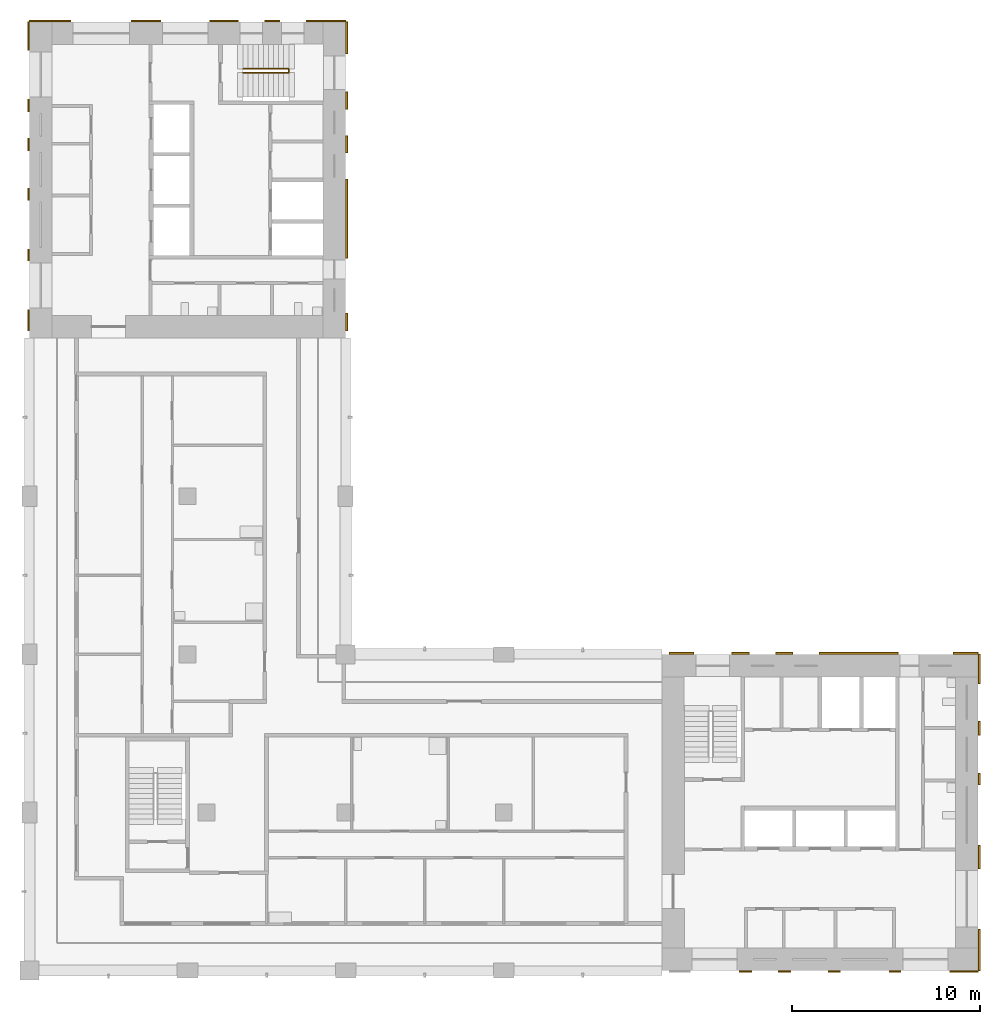
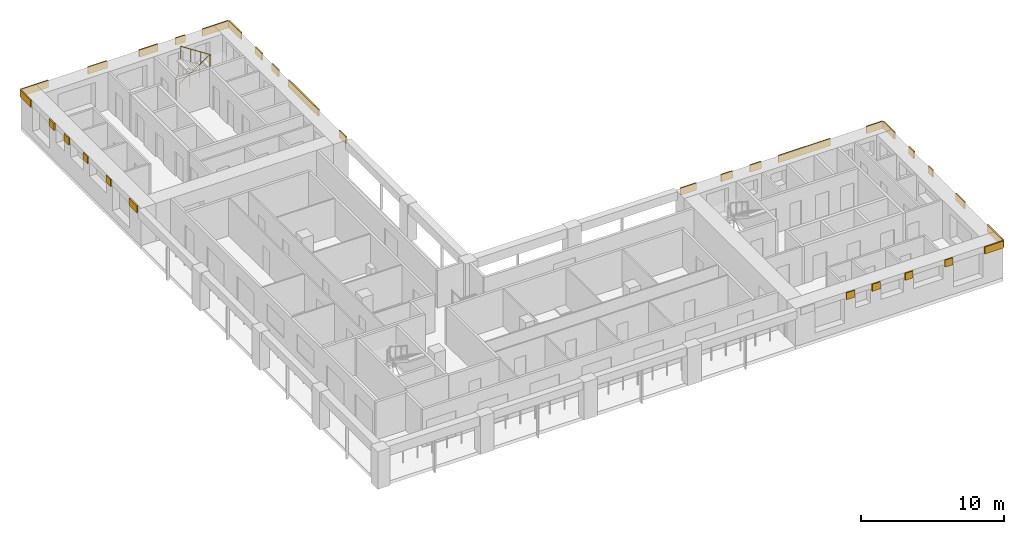
# One storey, part 8 of 9: 31 shading devices, 1 railing.
"""IFC4 building model written with IfcOpenShell, lengths in metres."""

import ifcopenshell
import ifcopenshell.guid

model = None  # the IFC model being written
_history = None  # IfcOwnerHistory: only IFC2X3 demands one
_inside = {}  # id of a spatial element -> (the spatial element, [elements in it])
_under = {}  # id of a project, library or spatial element -> (it, [spatial elements below it])
_declared = {}  # id of a project -> (the project, [libraries it declares])
_typed = {}  # id of a type object -> (the type object, [elements of that type])
_made_of = {}  # id of a material, layer set ... -> (it, [elements and type objects made of it])


def new_model(schema):
    """Start an empty IFC model of exactly this schema.

    Asked for "IFC4X3", IfcOpenShell would pick the latest addendum, in which some entities
    have other attributes; the version numbers below select the first issue.
    IFC2X3 requires an IfcOwnerHistory on every rooted entity: one is made here for all.
    """
    global model, _history
    if schema == "IFC4X3":
        model = ifcopenshell.file(schema_version=(4, 3, 0, 0))
    else:
        model = ifcopenshell.file(schema=schema)
    _inside.clear()
    _under.clear()
    _declared.clear()
    _typed.clear()
    _made_of.clear()
    _history = None
    if model.schema == "IFC2X3":
        org = make("IfcOrganization", Name="unknown")
        user = make(
            "IfcPersonAndOrganization",
            ThePerson=make("IfcPerson", FamilyName="unknown"),
            TheOrganization=org,
        )
        app = make(
            "IfcApplication",
            ApplicationDeveloper=org,
            Version="unknown",
            ApplicationFullName="unknown",
            ApplicationIdentifier="unknown",
        )
        _history = make(
            "IfcOwnerHistory",
            OwningUser=user,
            OwningApplication=app,
            ChangeAction="ADDED",
            CreationDate=0,
        )
    return model


def make(cls, **values):
    """One entity of the class cls with the attributes given. An attribute that is None is left unset."""
    return model.create_entity(
        cls, **{name: value for name, value in values.items() if value is not None}
    )


def rooted(cls, **values):
    """An entity with a GlobalId (a new one), such as an element, a storey or a relation."""
    return make(cls, GlobalId=ifcopenshell.guid.new(), OwnerHistory=_history, **values)


def si_unit(unit_type, name, prefix=None):
    """IfcSIUnit, for example si_unit("LENGTHUNIT", "METRE", prefix="MILLI")."""
    return make("IfcSIUnit", UnitType=unit_type, Prefix=prefix, Name=name)


def assignment(units):
    """IfcUnitAssignment: the units of a project."""
    return None if units is None else make("IfcUnitAssignment", Units=units)


def point(xyz):
    """IfcCartesianPoint."""
    return None if xyz is None else make("IfcCartesianPoint", Coordinates=xyz)


def direction(xyz):
    """IfcDirection."""
    return None if xyz is None else make("IfcDirection", DirectionRatios=xyz)


def frame(location, z_axis=None, x_axis=None):
    """IfcAxis2Placement3D, a coordinate frame: its origin and axes. An axis left out is left unset."""
    return make(
        "IfcAxis2Placement3D",
        Location=point(location),
        Axis=direction(z_axis),
        RefDirection=direction(x_axis),
    )


def frame_2d(location, x_axis=None):
    """IfcAxis2Placement2D, a coordinate frame in the plane: its origin and x axis."""
    return make(
        "IfcAxis2Placement2D", Location=point(location), RefDirection=direction(x_axis)
    )


def origin():
    """The frame at (0, 0, 0) with its axes left unset."""
    return frame((0.0, 0.0, 0.0))


def origin_2d():
    """The frame at (0, 0) in the plane with its x axis left unset."""
    return frame_2d((0.0, 0.0))


def place(relative_to, where):
    """IfcLocalPlacement: puts the frame where relative to a parent placement (None: the world)."""
    return make(
        "IfcLocalPlacement", PlacementRelTo=relative_to, RelativePlacement=where
    )


def context(
    kind, dimensions, precision=None, world=None, true_north=None, identifier=None
):
    """IfcGeometricRepresentationContext, for example the 3D "Model" context."""
    return make(
        "IfcGeometricRepresentationContext",
        ContextIdentifier=identifier,
        ContextType=kind,
        CoordinateSpaceDimension=dimensions,
        Precision=precision,
        WorldCoordinateSystem=world,
        TrueNorth=true_north,
    )


def subcontext(parent, identifier, kind, view, scale=None):
    """IfcGeometricRepresentationSubContext, for example "Body" below "Model"."""
    return make(
        "IfcGeometricRepresentationSubContext",
        ContextIdentifier=identifier,
        ContextType=kind,
        ParentContext=parent,
        TargetScale=scale,
        TargetView=view,
    )


def project(units=None, contexts=None):
    """IfcProject with its units and contexts."""
    return rooted(
        "IfcProject",
        Name="project",
        RepresentationContexts=contexts,
        UnitsInContext=assignment(units),
    )


def spatial(cls, under=None, at=None, **own):
    """A site, building, storey or space (cls), placed at a placement, below another one or the project."""
    s = rooted(cls, ObjectPlacement=at, **own)
    if under is not None:
        _under.setdefault(under.id(), (under, []))[1].append(s)
    return s


def profile(cls, at=None, kind="AREA", **sizes):
    """A parametric profile (cls). Its sizes go by their IFC names, for example OverallWidth=200.0."""
    return make(cls, ProfileType=kind, Position=at, **sizes)


def rectangle(**sizes):
    """IfcRectangleProfileDef."""
    return profile("IfcRectangleProfileDef", **sizes)


def circle(**sizes):
    """IfcCircleProfileDef."""
    return profile("IfcCircleProfileDef", **sizes)


def extrude(swept, where, along, depth):
    """IfcExtrudedAreaSolid: the profile swept, set in the frame where, extruded along a direction by depth."""
    return make(
        "IfcExtrudedAreaSolid",
        SweptArea=swept,
        Position=where,
        ExtrudedDirection=direction(along),
        Depth=depth,
    )


def shape(context_of_items, identifier, shape_type, items):
    """IfcShapeRepresentation: the items that make up one representation, for example the "Body"."""
    return make(
        "IfcShapeRepresentation",
        ContextOfItems=context_of_items,
        RepresentationIdentifier=identifier,
        RepresentationType=shape_type,
        Items=items,
    )


def material(Name=None, Category=None):
    """IfcMaterial."""
    return make("IfcMaterial", Name=Name, Category=Category)


def layer(
    of_material, thickness, ventilated=None, Name=None, Category=None, Priority=None
):
    """IfcMaterialLayer: one layer of a wall or slab, of a material (None: an air gap)."""
    return make(
        "IfcMaterialLayer",
        Material=of_material,
        LayerThickness=thickness,
        IsVentilated=ventilated,
        Name=Name,
        Category=Category,
        Priority=Priority,
    )


def layer_set(layers, Name=None):
    """IfcMaterialLayerSet."""
    return make("IfcMaterialLayerSet", MaterialLayers=layers, LayerSetName=Name)


def made_of(thing, what):
    """Note that an element or type object is made of a material, layer set ...; save() writes the relation."""
    if what is not None:
        _made_of.setdefault(what.id(), (what, []))[1].append(thing)
    return thing


def type_object(cls, material=None, **own):
    """A type object (cls), such as IfcWallType, which elements share."""
    return made_of(rooted(cls, **own), material)


def element(
    cls,
    number,
    at=None,
    inside=None,
    cuts=None,
    type_object=None,
    material=None,
    context=None,
    identifier="Body",
    shape_type=None,
    held_by="IfcProductDefinitionShape",
    body=None,
    shapes=None,
    **own,
):
    """One element of the class cls, such as IfcWall. Its Tag is "e" and its number.

    at: its placement. inside: the storey or other place that contains it. cuts: it is an
    opening in that element (IfcRelVoidsElement). A single representation is given by context,
    identifier, shape_type and body (its items); several are given by shapes. held_by: the class
    of the entity that holds the representations. save() writes the other relations.
    """
    e = rooted(cls, Tag="e%d" % number, ObjectPlacement=at, **own)
    if body is not None:
        shapes = [shape(context, identifier, shape_type, body)]
    if shapes is not None:
        e.Representation = make(held_by, Representations=shapes)
    if inside is not None:
        _inside.setdefault(inside.id(), (inside, []))[1].append(e)
    if cuts is not None:
        rooted(
            "IfcRelVoidsElement", RelatingBuildingElement=cuts, RelatedOpeningElement=e
        )
    if type_object is not None:
        _typed.setdefault(type_object.id(), (type_object, []))[1].append(e)
    return made_of(e, material)


def aggregate(whole, parts):
    """IfcRelAggregates: a whole, such as a stair, and the parts it consists of."""
    return rooted("IfcRelAggregates", RelatingObject=whole, RelatedObjects=parts)


def save(model, path):
    """Write the relations noted so far, then the file.

    IfcRelAggregates (storeys below a building ...), IfcRelContainedInSpatialStructure (elements
    in a storey), IfcRelDefinesByType, IfcRelAssociatesMaterial and IfcRelDeclares: one each for
    every whole, place, type object, material and project.
    """
    for whole, parts in _under.values():
        aggregate(whole, parts)
    for where, things in _inside.values():
        rooted(
            "IfcRelContainedInSpatialStructure",
            RelatedElements=things,
            RelatingStructure=where,
        )
    for kind, things in _typed.values():
        rooted("IfcRelDefinesByType", RelatedObjects=things, RelatingType=kind)
    for what, things in _made_of.values():
        rooted("IfcRelAssociatesMaterial", RelatedObjects=things, RelatingMaterial=what)
    for by, libraries in _declared.values():
        rooted("IfcRelDeclares", RelatingContext=by, RelatedDefinitions=libraries)
    model.write(path)


model = new_model("IFC4")

# Units and contexts
model_context = context("Model", 3, precision=1e-05, world=origin(), true_north=direction((0.0, 1.0)))
body_context = subcontext(model_context, "Body", "Model", "MODEL_VIEW")
ifc_project = project(units=[si_unit("LENGTHUNIT", "METRE"), si_unit("AREAUNIT", "SQUARE_METRE"), si_unit("VOLUMEUNIT", "CUBIC_METRE"), si_unit("PLANEANGLEUNIT", "RADIAN"), si_unit("MASSUNIT", "GRAM", prefix="KILO")], contexts=[model_context])

# Site, building, storey
site_placement = place(None, origin())
site = spatial("IfcSite", under=ifc_project, at=site_placement, CompositionType="ELEMENT")
building_placement = place(site_placement, origin())
building = spatial("IfcBuilding", under=site, at=building_placement, Name="Vermilion Gate Residences", CompositionType="ELEMENT")
storey_placement = place(building_placement, frame((0.0, 0.0, 224.699951171875)))
storey = spatial("IfcBuildingStorey", under=building, at=storey_placement, Name="L58", CompositionType="ELEMENT", Elevation=224.699951171875)

# Railing
ifc_material_1 = material(Name="Steel S355", Category="steel")
railing_type = type_object("IfcRailingType", Name="STAIR GUARD 1100 STEEL", PredefinedType="GUARDRAIL", material=ifc_material_1)
railing_placement = place(storey_placement, frame((19.75, 56.300048828125, 0.175048828125)))
element("IfcRailing", 1, at=railing_placement, inside=storey, type_object=railing_type, Name="Stair well guard STB1-58", PredefinedType="GUARDRAIL", context=body_context, shape_type="SweptSolid", body=[
    extrude(circle(Radius=0.02392578125, at=origin_2d()), frame((0.0, 0.0, 1.076171875), z_axis=(0.839153699163, 0.0, 0.543894354798), x_axis=(0.0, 1.0, 0.0)), (0.0, 0.0, 1.0), 2.895751953125),
    extrude(circle(Radius=0.02392578125, at=origin_2d()), frame((2.429931640625, 0.0, 2.65087890625), z_axis=(0.0, -0.752405939678, 0.658699705433), x_axis=(1.0, 0.0, 0.0)), (0.0, 0.0, 1.0), 0.265869140625),
    extrude(circle(Radius=0.02392578125, at=origin_2d()), frame((2.429931640625, -0.199951171875, 2.826171875), z_axis=(-0.839153699163, 0.0, 0.543894354798), x_axis=(0.0, -1.0, 0.0)), (0.0, 0.0, 1.0), 2.895751953125),
    extrude(circle(Radius=0.02099609375, at=origin_2d()), origin(), (0.0, 0.0, 1.0), 1.052001953125),
    extrude(circle(Radius=0.02099609375, at=origin_2d()), frame((0.81005859375, 0.0, 0.52490234375)), (0.0, 0.0, 1.0), 1.052001953125),
    extrude(circle(Radius=0.02099609375, at=origin_2d()), frame((1.619873046875, 0.0, 1.050048828125)), (0.0, 0.0, 1.0), 1.052001953125),
    extrude(circle(Radius=0.02099609375, at=origin_2d()), frame((2.429931640625, 0.0, 1.574951171875)), (0.0, 0.0, 1.0), 1.052001953125),
    extrude(circle(Radius=0.02099609375, at=origin_2d()), frame((2.429931640625, -0.199951171875, 1.75)), (0.0, 0.0, 1.0), 1.052001953125),
    extrude(circle(Radius=0.02099609375, at=origin_2d()), frame((1.619873046875, -0.199951171875, 2.27490234375)), (0.0, 0.0, 1.0), 1.052001953125),
    extrude(circle(Radius=0.02099609375, at=origin_2d()), frame((0.81005859375, -0.199951171875, 2.800048828125)), (0.0, 0.0, 1.0), 1.052001953125),
    extrude(circle(Radius=0.02099609375, at=origin_2d()), frame((0.0, -0.199951171875, 3.324951171875)), (0.0, 0.0, 1.0), 1.052001953125),
])

# Shading devices
ifc_material_2 = material(Name="Extruded terracotta", Category="masonry")
ifc_layer = layer(ifc_material_2, 0.10009765625)
ifc_layer_set = layer_set([ifc_layer], Name="TERRACOTTA SPANDREL BAND 600 X 100")
shading_device_type = type_object("IfcShadingDeviceType", Name="TERRACOTTA SPANDREL BAND 600 X 100", PredefinedType="USERDEFINED", material=ifc_layer_set)
shading_device_1_placement = place(storey_placement, frame((46.4375, 8.35009765625, 2.6201171875), z_axis=(0.0, 0.0, 1.0), x_axis=(1.0, 0.0, 0.0)))
element("IfcShadingDevice", 2, at=shading_device_1_placement, inside=storey, type_object=shading_device_type, Name="SPANDREL BAND", ObjectType="BAND", PredefinedType="USERDEFINED", context=body_context, shape_type="SweptSolid", body=[
    extrude(rectangle(XDim=0.675048828125, YDim=0.10009765625, at=origin_2d()), origin(), (0.0, 0.0, 1.0), 0.60009765625),
])
shading_device_2_placement = place(storey_placement, frame((48.510009765625, 8.35009765625, 2.6201171875), z_axis=(0.0, 0.0, 1.0), x_axis=(1.0, 0.0, 0.0)))
element("IfcShadingDevice", 3, at=shading_device_2_placement, inside=storey, type_object=shading_device_type, Name="SPANDREL BAND", ObjectType="BAND", PredefinedType="USERDEFINED", context=body_context, shape_type="SweptSolid", body=[
    extrude(rectangle(XDim=0.669921875, YDim=0.10009765625, at=origin_2d()), origin(), (0.0, 0.0, 1.0), 0.60009765625),
])
shading_device_3_placement = place(storey_placement, frame((51.157470703125, 8.35009765625, 2.6201171875), z_axis=(0.0, 0.0, 1.0), x_axis=(1.0, 0.0, 0.0)))
element("IfcShadingDevice", 4, at=shading_device_3_placement, inside=storey, type_object=shading_device_type, Name="SPANDREL BAND", ObjectType="BAND", PredefinedType="USERDEFINED", context=body_context, shape_type="SweptSolid", body=[
    extrude(rectangle(XDim=0.625, YDim=0.10009765625, at=origin_2d()), origin(), (0.0, 0.0, 1.0), 0.60009765625),
])
shading_device_4_placement = place(storey_placement, frame((54.385009765625, 8.35009765625, 2.6201171875), z_axis=(0.0, 0.0, 1.0), x_axis=(1.0, 0.0, 0.0)))
element("IfcShadingDevice", 5, at=shading_device_4_placement, inside=storey, type_object=shading_device_type, Name="SPANDREL BAND", ObjectType="BAND", PredefinedType="USERDEFINED", context=body_context, shape_type="SweptSolid", body=[
    extrude(rectangle(XDim=0.6298828125, YDim=0.10009765625, at=origin_2d()), origin(), (0.0, 0.0, 1.0), 0.60009765625),
])
shading_device_5_placement = place(storey_placement, frame((58.050048828125, 8.35009765625, 2.6201171875), z_axis=(0.0, 0.0, 1.0), x_axis=(1.0, 0.0, 0.0)))
element("IfcShadingDevice", 6, at=shading_device_5_placement, inside=storey, type_object=shading_device_type, Name="SPANDREL BAND", ObjectType="BAND", PredefinedType="USERDEFINED", context=body_context, shape_type="SweptSolid", body=[
    extrude(rectangle(XDim=1.5, YDim=0.10009765625, at=origin_2d()), origin(), (0.0, 0.0, 1.0), 0.60009765625),
])
shading_device_6_placement = place(storey_placement, frame((43.050048828125, 25.25, 2.6201171875), z_axis=(0.0, 0.0, 1.0), x_axis=(1.0, 0.0, 0.0)))
element("IfcShadingDevice", 7, at=shading_device_6_placement, inside=storey, type_object=shading_device_type, Name="SPANDREL BAND", ObjectType="BAND", PredefinedType="USERDEFINED", context=body_context, shape_type="SweptSolid", body=[
    extrude(rectangle(XDim=1.300048828125, YDim=0.10009765625, at=origin_2d()), origin(), (0.0, 0.0, 1.0), 0.60009765625),
])
shading_device_7_placement = place(storey_placement, frame((46.168701171875, 25.25, 2.6201171875), z_axis=(0.0, 0.0, 1.0), x_axis=(1.0, 0.0, 0.0)))
element("IfcShadingDevice", 8, at=shading_device_7_placement, inside=storey, type_object=shading_device_type, Name="SPANDREL BAND", ObjectType="BAND", PredefinedType="USERDEFINED", context=body_context, shape_type="SweptSolid", body=[
    extrude(rectangle(XDim=0.9375, YDim=0.10009765625, at=origin_2d()), origin(), (0.0, 0.0, 1.0), 0.60009765625),
])
shading_device_8_placement = place(storey_placement, frame((48.49365234375, 25.25, 2.6201171875), z_axis=(0.0, 0.0, 1.0), x_axis=(1.0, 0.0, 0.0)))
element("IfcShadingDevice", 9, at=shading_device_8_placement, inside=storey, type_object=shading_device_type, Name="SPANDREL BAND", ObjectType="BAND", PredefinedType="USERDEFINED", context=body_context, shape_type="SweptSolid", body=[
    extrude(rectangle(XDim=0.91259765625, YDim=0.10009765625, at=origin_2d()), origin(), (0.0, 0.0, 1.0), 0.60009765625),
])
shading_device_9_placement = place(storey_placement, frame((52.449951171875, 25.25, 2.6201171875), z_axis=(0.0, 0.0, 1.0), x_axis=(1.0, 0.0, 0.0)))
element("IfcShadingDevice", 10, at=shading_device_9_placement, inside=storey, type_object=shading_device_type, Name="SPANDREL BAND", ObjectType="BAND", PredefinedType="USERDEFINED", context=body_context, shape_type="SweptSolid", body=[
    extrude(rectangle(XDim=4.199951171875, YDim=0.10009765625, at=origin_2d()), origin(), (0.0, 0.0, 1.0), 0.60009765625),
])
shading_device_10_placement = place(storey_placement, frame((58.137451171875, 25.25, 2.6201171875), z_axis=(0.0, 0.0, 1.0), x_axis=(1.0, 0.0, 0.0)))
element("IfcShadingDevice", 11, at=shading_device_10_placement, inside=storey, type_object=shading_device_type, Name="SPANDREL BAND", ObjectType="BAND", PredefinedType="USERDEFINED", context=body_context, shape_type="SweptSolid", body=[
    extrude(rectangle(XDim=1.324951171875, YDim=0.10009765625, at=origin_2d()), origin(), (0.0, 0.0, 1.0), 0.60009765625),
])
shading_device_11_placement = place(storey_placement, frame((58.85009765625, 9.50244140625, 2.6201171875), z_axis=(0.0, 0.0, 1.0), x_axis=(0.0, 1.0, 0.0)))
element("IfcShadingDevice", 12, at=shading_device_11_placement, inside=storey, type_object=shading_device_type, Name="SPANDREL BAND", ObjectType="BAND", PredefinedType="USERDEFINED", context=body_context, shape_type="SweptSolid", body=[
    extrude(rectangle(XDim=2.205078125, YDim=0.10009765625, at=origin_2d()), origin(), (0.0, 0.0, 1.0), 0.60009765625),
])
shading_device_12_placement = place(storey_placement, frame((58.85009765625, 14.4326171875, 2.6201171875), z_axis=(0.0, 0.0, 1.0), x_axis=(0.0, 1.0, 0.0)))
element("IfcShadingDevice", 13, at=shading_device_12_placement, inside=storey, type_object=shading_device_type, Name="SPANDREL BAND", ObjectType="BAND", PredefinedType="USERDEFINED", context=body_context, shape_type="SweptSolid", body=[
    extrude(rectangle(XDim=1.2548828125, YDim=0.10009765625, at=origin_2d()), origin(), (0.0, 0.0, 1.0), 0.60009765625),
])
shading_device_13_placement = place(storey_placement, frame((58.85009765625, 18.574951171875, 2.6201171875), z_axis=(0.0, 0.0, 1.0), x_axis=(0.0, 1.0, 0.0)))
element("IfcShadingDevice", 14, at=shading_device_13_placement, inside=storey, type_object=shading_device_type, Name="SPANDREL BAND", ObjectType="BAND", PredefinedType="USERDEFINED", context=body_context, shape_type="SweptSolid", body=[
    extrude(rectangle(XDim=0.6298828125, YDim=0.10009765625, at=origin_2d()), origin(), (0.0, 0.0, 1.0), 0.60009765625),
])
shading_device_14_placement = place(storey_placement, frame((58.85009765625, 21.27001953125, 2.6201171875), z_axis=(0.0, 0.0, 1.0), x_axis=(0.0, 1.0, 0.0)))
element("IfcShadingDevice", 15, at=shading_device_14_placement, inside=storey, type_object=shading_device_type, Name="SPANDREL BAND", ObjectType="BAND", PredefinedType="USERDEFINED", context=body_context, shape_type="SweptSolid", body=[
    extrude(rectangle(XDim=0.760009765625, YDim=0.10009765625, at=origin_2d()), origin(), (0.0, 0.0, 1.0), 0.60009765625),
])
shading_device_15_placement = place(storey_placement, frame((58.85009765625, 24.425048828125, 2.6201171875), z_axis=(0.0, 0.0, 1.0), x_axis=(0.0, 1.0, 0.0)))
element("IfcShadingDevice", 16, at=shading_device_15_placement, inside=storey, type_object=shading_device_type, Name="SPANDREL BAND", ObjectType="BAND", PredefinedType="USERDEFINED", context=body_context, shape_type="SweptSolid", body=[
    extrude(rectangle(XDim=1.550048828125, YDim=0.10009765625, at=origin_2d()), origin(), (0.0, 0.0, 1.0), 0.60009765625),
])
shading_device_16_placement = place(storey_placement, frame((9.50244140625, 58.85009765625, 2.6201171875), z_axis=(0.0, 0.0, 1.0), x_axis=(1.0, 0.0, 0.0)))
element("IfcShadingDevice", 17, at=shading_device_16_placement, inside=storey, type_object=shading_device_type, Name="SPANDREL BAND", ObjectType="BAND", PredefinedType="USERDEFINED", context=body_context, shape_type="SweptSolid", body=[
    extrude(rectangle(XDim=2.205078125, YDim=0.10009765625, at=origin_2d()), origin(), (0.0, 0.0, 1.0), 0.60009765625),
])
shading_device_17_placement = place(storey_placement, frame((14.590087890625, 58.85009765625, 2.6201171875), z_axis=(0.0, 0.0, 1.0), x_axis=(1.0, 0.0, 0.0)))
element("IfcShadingDevice", 18, at=shading_device_17_placement, inside=storey, type_object=shading_device_type, Name="SPANDREL BAND", ObjectType="BAND", PredefinedType="USERDEFINED", context=body_context, shape_type="SweptSolid", body=[
    extrude(rectangle(XDim=1.570068359375, YDim=0.10009765625, at=origin_2d()), origin(), (0.0, 0.0, 1.0), 0.60009765625),
])
shading_device_18_placement = place(storey_placement, frame((18.734130859375, 58.85009765625, 2.6201171875), z_axis=(0.0, 0.0, 1.0), x_axis=(1.0, 0.0, 0.0)))
element("IfcShadingDevice", 19, at=shading_device_18_placement, inside=storey, type_object=shading_device_type, Name="SPANDREL BAND", ObjectType="BAND", PredefinedType="USERDEFINED", context=body_context, shape_type="SweptSolid", body=[
    extrude(rectangle(XDim=1.518310546875, YDim=0.10009765625, at=origin_2d()), origin(), (0.0, 0.0, 1.0), 0.60009765625),
])
shading_device_19_placement = place(storey_placement, frame((21.294921875, 58.85009765625, 2.6201171875), z_axis=(0.0, 0.0, 1.0), x_axis=(1.0, 0.0, 0.0)))
element("IfcShadingDevice", 20, at=shading_device_19_placement, inside=storey, type_object=shading_device_type, Name="SPANDREL BAND", ObjectType="BAND", PredefinedType="USERDEFINED", context=body_context, shape_type="SweptSolid", body=[
    extrude(rectangle(XDim=0.803466796875, YDim=0.10009765625, at=origin_2d()), origin(), (0.0, 0.0, 1.0), 0.60009765625),
])
shading_device_20_placement = place(storey_placement, frame((24.1484375, 58.85009765625, 2.6201171875), z_axis=(0.0, 0.0, 1.0), x_axis=(1.0, 0.0, 0.0)))
element("IfcShadingDevice", 21, at=shading_device_20_placement, inside=storey, type_object=shading_device_type, Name="SPANDREL BAND", ObjectType="BAND", PredefinedType="USERDEFINED", context=body_context, shape_type="SweptSolid", body=[
    extrude(rectangle(XDim=2.103271484375, YDim=0.10009765625, at=origin_2d()), origin(), (0.0, 0.0, 1.0), 0.60009765625),
])
shading_device_21_placement = place(storey_placement, frame((8.35009765625, 42.949951171875, 2.6201171875), z_axis=(0.0, 0.0, 1.0), x_axis=(0.0, 1.0, 0.0)))
element("IfcShadingDevice", 22, at=shading_device_21_placement, inside=storey, type_object=shading_device_type, Name="SPANDREL BAND", ObjectType="BAND", PredefinedType="USERDEFINED", context=body_context, shape_type="SweptSolid", body=[
    extrude(rectangle(XDim=1.10009765625, YDim=0.10009765625, at=origin_2d()), origin(), (0.0, 0.0, 1.0), 0.60009765625),
])
shading_device_22_placement = place(storey_placement, frame((8.35009765625, 46.4150390625, 2.6201171875), z_axis=(0.0, 0.0, 1.0), x_axis=(0.0, 1.0, 0.0)))
element("IfcShadingDevice", 23, at=shading_device_22_placement, inside=storey, type_object=shading_device_type, Name="SPANDREL BAND", ObjectType="BAND", PredefinedType="USERDEFINED", context=body_context, shape_type="SweptSolid", body=[
    extrude(rectangle(XDim=0.6298828125, YDim=0.10009765625, at=origin_2d()), origin(), (0.0, 0.0, 1.0), 0.60009765625),
])
shading_device_23_placement = place(storey_placement, frame((8.35009765625, 49.642578125, 2.6201171875), z_axis=(0.0, 0.0, 1.0), x_axis=(0.0, 1.0, 0.0)))
element("IfcShadingDevice", 24, at=shading_device_23_placement, inside=storey, type_object=shading_device_type, Name="SPANDREL BAND", ObjectType="BAND", PredefinedType="USERDEFINED", context=body_context, shape_type="SweptSolid", body=[
    extrude(rectangle(XDim=0.625, YDim=0.10009765625, at=origin_2d()), origin(), (0.0, 0.0, 1.0), 0.60009765625),
])
shading_device_24_placement = place(storey_placement, frame((8.35009765625, 52.2900390625, 2.6201171875), z_axis=(0.0, 0.0, 1.0), x_axis=(0.0, 1.0, 0.0)))
element("IfcShadingDevice", 25, at=shading_device_24_placement, inside=storey, type_object=shading_device_type, Name="SPANDREL BAND", ObjectType="BAND", PredefinedType="USERDEFINED", context=body_context, shape_type="SweptSolid", body=[
    extrude(rectangle(XDim=0.669921875, YDim=0.10009765625, at=origin_2d()), origin(), (0.0, 0.0, 1.0), 0.60009765625),
])
shading_device_25_placement = place(storey_placement, frame((8.35009765625, 54.362548828125, 2.6201171875), z_axis=(0.0, 0.0, 1.0), x_axis=(0.0, 1.0, 0.0)))
element("IfcShadingDevice", 26, at=shading_device_25_placement, inside=storey, type_object=shading_device_type, Name="SPANDREL BAND", ObjectType="BAND", PredefinedType="USERDEFINED", context=body_context, shape_type="SweptSolid", body=[
    extrude(rectangle(XDim=0.675048828125, YDim=0.10009765625, at=origin_2d()), origin(), (0.0, 0.0, 1.0), 0.60009765625),
])
shading_device_26_placement = place(storey_placement, frame((8.35009765625, 58.050048828125, 2.6201171875), z_axis=(0.0, 0.0, 1.0), x_axis=(0.0, 1.0, 0.0)))
element("IfcShadingDevice", 27, at=shading_device_26_placement, inside=storey, type_object=shading_device_type, Name="SPANDREL BAND", ObjectType="BAND", PredefinedType="USERDEFINED", context=body_context, shape_type="SweptSolid", body=[
    extrude(rectangle(XDim=1.5, YDim=0.10009765625, at=origin_2d()), origin(), (0.0, 0.0, 1.0), 0.60009765625),
])
shading_device_27_placement = place(storey_placement, frame((25.25, 42.862548828125, 2.6201171875), z_axis=(0.0, 0.0, 1.0), x_axis=(0.0, 1.0, 0.0)))
element("IfcShadingDevice", 28, at=shading_device_27_placement, inside=storey, type_object=shading_device_type, Name="SPANDREL BAND", ObjectType="BAND", PredefinedType="USERDEFINED", context=body_context, shape_type="SweptSolid", body=[
    extrude(rectangle(XDim=0.925048828125, YDim=0.10009765625, at=origin_2d()), origin(), (0.0, 0.0, 1.0), 0.60009765625),
])
shading_device_28_placement = place(storey_placement, frame((25.25, 48.35009765625, 2.6201171875), z_axis=(0.0, 0.0, 1.0), x_axis=(0.0, 1.0, 0.0)))
element("IfcShadingDevice", 29, at=shading_device_28_placement, inside=storey, type_object=shading_device_type, Name="SPANDREL BAND", ObjectType="BAND", PredefinedType="USERDEFINED", context=body_context, shape_type="SweptSolid", body=[
    extrude(rectangle(XDim=4.199951171875, YDim=0.10009765625, at=origin_2d()), origin(), (0.0, 0.0, 1.0), 0.60009765625),
])
shading_device_29_placement = place(storey_placement, frame((25.25, 52.30615234375, 2.6201171875), z_axis=(0.0, 0.0, 1.0), x_axis=(0.0, 1.0, 0.0)))
element("IfcShadingDevice", 30, at=shading_device_29_placement, inside=storey, type_object=shading_device_type, Name="SPANDREL BAND", ObjectType="BAND", PredefinedType="USERDEFINED", context=body_context, shape_type="SweptSolid", body=[
    extrude(rectangle(XDim=0.91259765625, YDim=0.10009765625, at=origin_2d()), origin(), (0.0, 0.0, 1.0), 0.60009765625),
])
shading_device_30_placement = place(storey_placement, frame((25.25, 54.631103515625, 2.6201171875), z_axis=(0.0, 0.0, 1.0), x_axis=(0.0, 1.0, 0.0)))
element("IfcShadingDevice", 31, at=shading_device_30_placement, inside=storey, type_object=shading_device_type, Name="SPANDREL BAND", ObjectType="BAND", PredefinedType="USERDEFINED", context=body_context, shape_type="SweptSolid", body=[
    extrude(rectangle(XDim=0.9375, YDim=0.10009765625, at=origin_2d()), origin(), (0.0, 0.0, 1.0), 0.60009765625),
])
shading_device_31_placement = place(storey_placement, frame((25.25, 57.949951171875, 2.6201171875), z_axis=(0.0, 0.0, 1.0), x_axis=(0.0, 1.0, 0.0)))
element("IfcShadingDevice", 32, at=shading_device_31_placement, inside=storey, type_object=shading_device_type, Name="SPANDREL BAND", ObjectType="BAND", PredefinedType="USERDEFINED", context=body_context, shape_type="SweptSolid", body=[
    extrude(rectangle(XDim=1.699951171875, YDim=0.10009765625, at=origin_2d()), origin(), (0.0, 0.0, 1.0), 0.60009765625),
])

save(model, "model.ifc")
